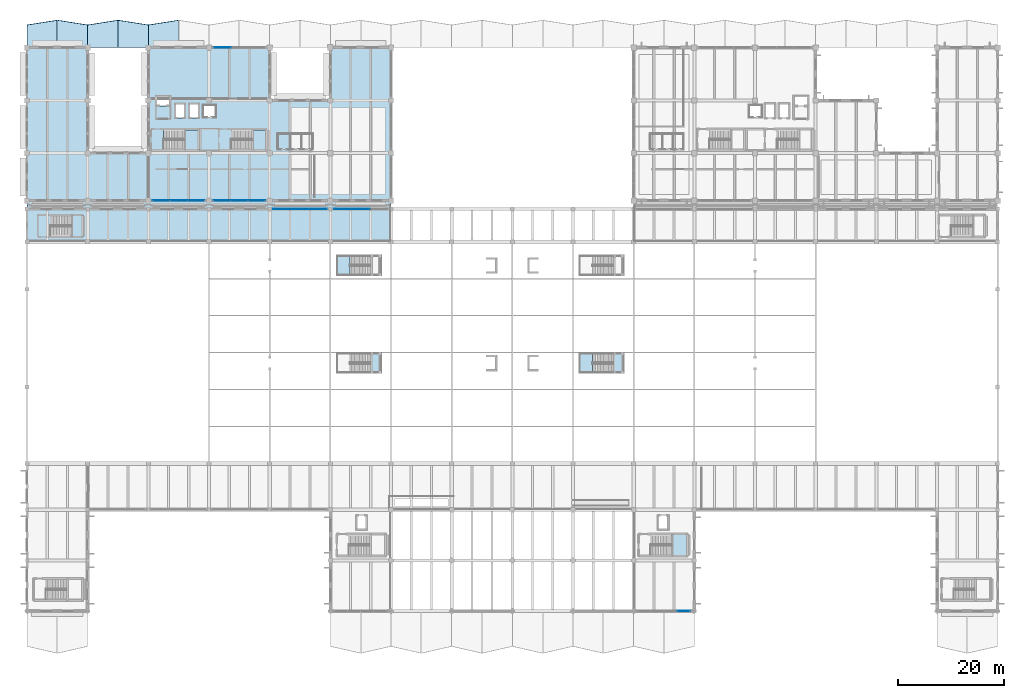
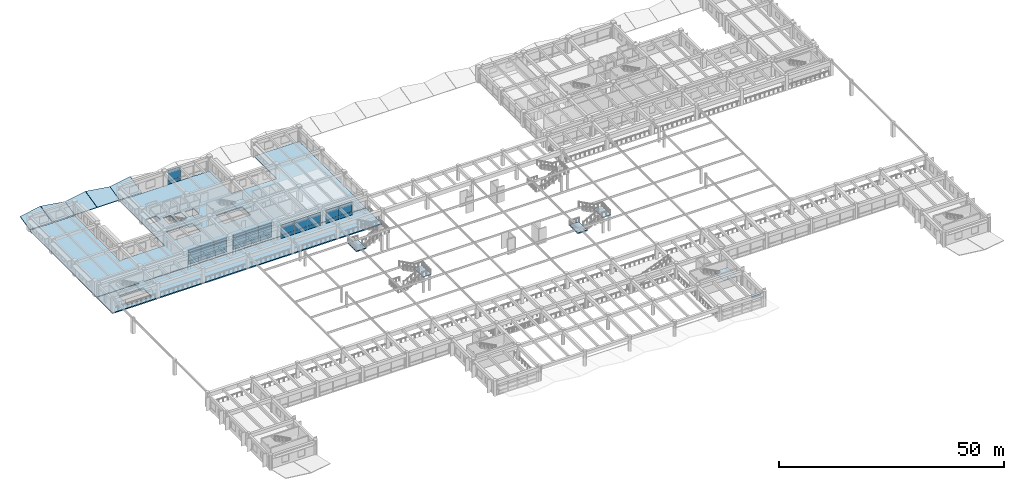
# One storey, part 65 of 98: 37 plates, 15 slabs, 12 elements without a shape of their own.
"""IFC4 building model written with IfcOpenShell, lengths in metres."""

from ifc_helpers import new_model, si_unit, direction, frame, origin, origin_2d, place, context, subcontext, project, spatial, polyline, rectangle, outline, extrude, material, layer, layer_set, type_object, element, aggregate, save


model = new_model("IFC4")

# Units and contexts
model_context = context("Model", 3, precision=1e-05, world=origin(), true_north=direction((0.0, 1.0)))
body_context = subcontext(model_context, "Body", "Model", "MODEL_VIEW")
ifc_project = project(units=[si_unit("LENGTHUNIT", "METRE"), si_unit("AREAUNIT", "SQUARE_METRE"), si_unit("VOLUMEUNIT", "CUBIC_METRE"), si_unit("PLANEANGLEUNIT", "RADIAN"), si_unit("MASSUNIT", "GRAM", prefix="KILO")], contexts=[model_context])

# Site, building, storey
site_placement = place(None, origin())
site = spatial("IfcSite", under=ifc_project, at=site_placement, CompositionType="ELEMENT")
building_placement = place(site_placement, origin())
building = spatial("IfcBuilding", under=site, at=building_placement, Name="Ologun Quay Terminus", CompositionType="ELEMENT")
storey_placement = place(building_placement, frame((0.0, 0.0, 4.199951171875)))
storey = spatial("IfcBuildingStorey", under=building, at=storey_placement, Name="L01", CompositionType="ELEMENT", Elevation=4.199951171875)

# Curtain wall, plate
ifc_material_1 = material(Name="Aluminium 6063-T6", Category="aluminium")
curtain_wall_type_1 = type_object("IfcCurtainWallType", Name="Ticket Hall Upper Portal Curtain Wall 10700x3800", PredefinedType="USERDEFINED", material=ifc_material_1)
curtain_wall_1_placement = place(storey_placement, origin())
curtain_wall_1 = element("IfcCurtainWall", 1, at=curtain_wall_1_placement, inside=storey, type_object=curtain_wall_type_1, Name="CW-02 Curtain Wall CW-L01-015", ObjectType="UNITISED CURTAIN WALL", PredefinedType="USERDEFINED")
ifc_material_2 = material(Name="Glass", Category="glass")
ifc_layer_1 = layer(ifc_material_2, 0.031982421875)
ifc_layer_set_1 = layer_set([ifc_layer_1], Name="Glass")
plate_type_1 = type_object("IfcPlateType", Name="Acoustic Low-E Laminated Glazed Panel 32", PredefinedType="CURTAIN_PANEL", material=ifc_layer_set_1)
plate_1_placement = place(storey_placement, frame((124.447509765625, 8.0, 3.169921875), z_axis=(0.0, 0.0, 1.0), x_axis=(1.0, 0.0, 0.0)))
plate_1 = element("IfcPlate", 2, at=plate_1_placement, type_object=plate_type_1, Name="CW-L01-015 Panel B4-3", PredefinedType="CURTAIN_PANEL", context=body_context, shape_type="SweptSolid", body=[
    extrude(rectangle(XDim=2.465087890625, YDim=0.031982421875, at=origin_2d()), origin(), (0.0, 0.0, 1.0), 0.639892578125),
])
aggregate(curtain_wall_1, [plate_1])

ifc_material_3 = material(Name="Aluminium 6063-T6", Category="aluminium")
curtain_wall_type_2 = type_object("IfcCurtainWallType", Name="Waterfront Pavilion Harbour Curtain Wall L01 10500x3850", PredefinedType="USERDEFINED", material=ifc_material_3)
curtain_wall_2_placement = place(storey_placement, origin())
curtain_wall_2 = element("IfcCurtainWall", 3, at=curtain_wall_2_placement, inside=storey, type_object=curtain_wall_type_2, Name="CW-23 Curtain Wall CW-L01-102", ObjectType="UNITISED CURTAIN WALL", PredefinedType="USERDEFINED")
ifc_material_4 = material(Name="Aluminium 6063-T6", Category="aluminium")
ifc_layer_2 = layer(ifc_material_4, 0.06005859375)
ifc_layer_set_2 = layer_set([ifc_layer_2], Name="Aluminium 6063-T6")
plate_type_2 = type_object("IfcPlateType", Name="Anodised Bronze Spandrel Panel 60", PredefinedType="CURTAIN_PANEL", material=ifc_layer_set_2)
plate_2_placement = place(storey_placement, frame((36.99658203125, 114.800048828125, 0.02978515625), z_axis=(0.0, 0.0, 1.0), x_axis=(1.0, 0.0, 0.0)))
plate_2 = element("IfcPlate", 4, at=plate_2_placement, type_object=plate_type_2, Name="CW-L01-102 Panel B1-1", PredefinedType="CURTAIN_PANEL", context=body_context, shape_type="SweptSolid", body=[
    extrude(rectangle(XDim=3.25341796875, YDim=0.06005859375, at=origin_2d()), origin(), (0.0, 0.0, 1.0), 0.840087890625),
])

# Slabs
ifc_material_5 = material(Name="Concrete C45/55", Category="concrete")
ifc_layer_3 = layer(ifc_material_5, 0.179931640625)
ifc_layer_set_3 = layer_set([ifc_layer_3], Name="Concrete C45/55")
slab_type_1 = type_object("IfcSlabType", Name="Folded Plate Concrete Canopy Slab 180", PredefinedType="ROOF", material=ifc_layer_set_3)
slab_1_placement = place(storey_placement, frame((0.0, 114.800048828125, 0.199951171875), z_axis=(-5.421977e-06, -0.224890596449, 0.974384020599), x_axis=(0.999999999985, -1.219352e-06, 5.283088e-06)))
element("IfcSlab", 5, at=slab_1_placement, inside=storey, type_object=slab_type_1, Name="SL-CNP Harbour Colonnade Canopy Bay 1W", PredefinedType="ROOF", context=body_context, shape_type="SweptSolid", body=[
    extrude(outline(polyline([(0.0, 0.0), (5.719970703040922, 1.2112509107190553e-21), (5.719970703209077, 5.336661969533888), (-1.6815478267274492e-10, 4.413087409581979), (0.0, 0.0)])), origin(), (0.0, 0.0, -1.0), 0.179931640625),
])
slab_2_placement = place(storey_placement, frame((5.780029296875, 114.800048828125, 0.199951171875), z_axis=(5.421977e-06, -0.224890596449, 0.974384020599), x_axis=(0.999999999985, 1.219352e-06, -5.283088e-06)))
element("IfcSlab", 6, at=slab_2_placement, inside=storey, type_object=slab_type_1, Name="SL-CNP Harbour Colonnade Canopy Bay 1E", PredefinedType="ROOF", context=body_context, shape_type="SweptSolid", body=[
    extrude(outline(polyline([(0.0, 0.0), (5.719970703040922, -1.2112509107190553e-21), (5.719970703209078, 4.413087409581979), (-1.6815478267274492e-10, 5.336661969533888), (0.0, 0.0)])), origin(), (0.0, 0.0, -1.0), 0.179931640625),
])
slab_3_placement = place(storey_placement, frame((11.5, 114.800048828125, 0.199951171875), z_axis=(-5.421977e-06, -0.224890596449, 0.974384020599), x_axis=(0.999999999985, -1.219352e-06, 5.283088e-06)))
element("IfcSlab", 7, at=slab_3_placement, inside=storey, type_object=slab_type_1, Name="SL-CNP Harbour Colonnade Canopy Bay 2W", PredefinedType="ROOF", context=body_context, shape_type="SweptSolid", body=[
    extrude(outline(polyline([(0.0, 0.0), (5.719970703040922, 1.2112509107190553e-21), (5.719970703209077, 5.336661969533888), (-1.6815478267274492e-10, 4.413087409581979), (0.0, 0.0)])), origin(), (0.0, 0.0, -1.0), 0.179931640625),
])
slab_4_placement = place(storey_placement, frame((17.280029296875, 114.800048828125, 0.199951171875), z_axis=(5.421977e-06, -0.224890596449, 0.974384020599), x_axis=(0.999999999985, 1.219352e-06, -5.283088e-06)))
element("IfcSlab", 8, at=slab_4_placement, inside=storey, type_object=slab_type_1, Name="SL-CNP Harbour Colonnade Canopy Bay 2E", PredefinedType="ROOF", context=body_context, shape_type="SweptSolid", body=[
    extrude(outline(polyline([(0.0, 0.0), (5.719970703040922, -1.2112509107190553e-21), (5.719970703209078, 4.413087409581979), (-1.6815478267274492e-10, 5.336661969533888), (0.0, 0.0)])), origin(), (0.0, 0.0, -1.0), 0.179931640625),
])
slab_5_placement = place(storey_placement, frame((23.0, 114.800048828125, 0.199951171875), z_axis=(-5.421977e-06, -0.224890596449, 0.974384020599), x_axis=(0.999999999985, -1.219352e-06, 5.283088e-06)))
element("IfcSlab", 9, at=slab_5_placement, inside=storey, type_object=slab_type_1, Name="SL-CNP Harbour Colonnade Canopy Bay 3W", PredefinedType="ROOF", context=body_context, shape_type="SweptSolid", body=[
    extrude(outline(polyline([(0.0, 0.0), (5.719970703040922, 1.2112509107190553e-21), (5.719970703209077, 5.336661969533888), (-1.6815478267274492e-10, 4.413087409581979), (0.0, 0.0)])), origin(), (0.0, 0.0, -1.0), 0.179931640625),
])

# Plate
ifc_material_6 = material(Name="Glass", Category="glass")
ifc_layer_4 = layer(ifc_material_6, 0.035888671875)
ifc_layer_set_4 = layer_set([ifc_layer_4], Name="Glass")
plate_type_3 = type_object("IfcPlateType", Name="High-Selectivity Harbour Glazed Panel 36", PredefinedType="CURTAIN_PANEL", material=ifc_layer_set_4)
plate_3_placement = place(storey_placement, frame((36.99658203125, 114.800048828125, 0.929931640625), z_axis=(0.0, 0.0, 1.0), x_axis=(1.0, 0.0, 0.0)))
plate_3 = element("IfcPlate", 10, at=plate_3_placement, type_object=plate_type_3, Name="CW-L01-102 Panel B1-2", PredefinedType="CURTAIN_PANEL", context=body_context, shape_type="SweptSolid", body=[
    extrude(rectangle(XDim=3.25341796875, YDim=0.035888671875, at=origin_2d()), origin(), (0.0, 0.0, 1.0), 2.27001953125),
])

plate_4_placement = place(storey_placement, frame((36.99658203125, 114.800048828125, 3.26025390625), z_axis=(0.0, 0.0, 1.0), x_axis=(1.0, 0.0, 0.0)))
plate_4 = element("IfcPlate", 11, at=plate_4_placement, type_object=plate_type_3, Name="CW-L01-102 Panel B1-3", PredefinedType="CURTAIN_PANEL", context=body_context, shape_type="SweptSolid", body=[
    extrude(rectangle(XDim=3.25341796875, YDim=0.035888671875, at=origin_2d()), origin(), (0.0, 0.0, 1.0), 0.639892578125),
])

aggregate(curtain_wall_2, [plate_2, plate_3, plate_4])

# Curtain wall, plates
ifc_material_7 = material(Name="Aluminium 6063-T6", Category="aluminium")
curtain_wall_type_3 = type_object("IfcCurtainWallType", Name="Forecourt Mezzanine Curtain Wall 10700x3850", PredefinedType="USERDEFINED", material=ifc_material_7)
curtain_wall_3_placement = place(storey_placement, origin())
curtain_wall_3 = element("IfcCurtainWall", 12, at=curtain_wall_3_placement, inside=storey, type_object=curtain_wall_type_3, Name="CW-04 Curtain Wall CW-L01-088", ObjectType="UNITISED CURTAIN WALL", PredefinedType="USERDEFINED")
ifc_material_8 = material(Name="Aluminium 6063-T6", Category="aluminium")
ifc_layer_5 = layer(ifc_material_8, 0.050048828125)
ifc_layer_set_5 = layer_set([ifc_layer_5], Name="Aluminium 6063-T6")
plate_type_4 = type_object("IfcPlateType", Name="Insulated Aluminium Shadow-Box Spandrel 50", PredefinedType="CURTAIN_PANEL", material=ifc_layer_set_5)
plate_5_placement = place(storey_placement, frame((48.396728515625, 84.199951171875, 0.02978515625), z_axis=(0.0, 0.0, 1.0), x_axis=(1.0, 0.0, 0.0)))
plate_5 = element("IfcPlate", 13, at=plate_5_placement, type_object=plate_type_4, Name="CW-L01-088 Panel B1-1", PredefinedType="CURTAIN_PANEL", context=body_context, shape_type="SweptSolid", body=[
    extrude(rectangle(XDim=3.353271484375, YDim=0.050048828125, at=origin_2d()), origin(), (0.0, 0.0, 1.0), 0.840087890625),
])
plate_6_placement = place(storey_placement, frame((51.75, 84.199951171875, 0.02978515625), z_axis=(0.0, 0.0, 1.0), x_axis=(1.0, 0.0, 0.0)))
plate_6 = element("IfcPlate", 14, at=plate_6_placement, type_object=plate_type_4, Name="CW-L01-088 Panel B2-1", PredefinedType="CURTAIN_PANEL", context=body_context, shape_type="SweptSolid", body=[
    extrude(rectangle(XDim=3.353271484375, YDim=0.050048828125, at=origin_2d()), origin(), (0.0, 0.0, 1.0), 0.840087890625),
])
plate_7_placement = place(storey_placement, frame((55.103271484375, 84.199951171875, 0.02978515625), z_axis=(0.0, 0.0, 1.0), x_axis=(1.0, 0.0, 0.0)))
plate_7 = element("IfcPlate", 15, at=plate_7_placement, type_object=plate_type_4, Name="CW-L01-088 Panel B3-1", PredefinedType="CURTAIN_PANEL", context=body_context, shape_type="SweptSolid", body=[
    extrude(rectangle(XDim=3.353271484375, YDim=0.050048828125, at=origin_2d()), origin(), (0.0, 0.0, 1.0), 0.840087890625),
])

curtain_wall_4_placement = place(storey_placement, origin())
curtain_wall_4 = element("IfcCurtainWall", 16, at=curtain_wall_4_placement, inside=storey, type_object=curtain_wall_type_3, Name="CW-04 Curtain Wall CW-L01-089", ObjectType="UNITISED CURTAIN WALL", PredefinedType="USERDEFINED")
plate_8_placement = place(storey_placement, frame((59.896728515625, 84.199951171875, 0.02978515625), z_axis=(0.0, 0.0, 1.0), x_axis=(1.0, 0.0, 0.0)))
plate_8 = element("IfcPlate", 17, at=plate_8_placement, type_object=plate_type_4, Name="CW-L01-089 Panel B1-1", PredefinedType="CURTAIN_PANEL", context=body_context, shape_type="SweptSolid", body=[
    extrude(rectangle(XDim=3.353271484375, YDim=0.050048828125, at=origin_2d()), origin(), (0.0, 0.0, 1.0), 0.840087890625),
])
plate_9_placement = place(storey_placement, frame((63.25, 84.199951171875, 0.02978515625), z_axis=(0.0, 0.0, 1.0), x_axis=(1.0, 0.0, 0.0)))
plate_9 = element("IfcPlate", 18, at=plate_9_placement, type_object=plate_type_4, Name="CW-L01-089 Panel B2-1", PredefinedType="CURTAIN_PANEL", context=body_context, shape_type="SweptSolid", body=[
    extrude(rectangle(XDim=3.353271484375, YDim=0.050048828125, at=origin_2d()), origin(), (0.0, 0.0, 1.0), 0.840087890625),
])

curtain_wall_5_placement = place(storey_placement, origin())
curtain_wall_5 = element("IfcCurtainWall", 19, at=curtain_wall_5_placement, inside=storey, type_object=curtain_wall_type_2, Name="CW-23 Curtain Wall CW-L01-097", ObjectType="UNITISED CURTAIN WALL", PredefinedType="USERDEFINED")
plate_10_placement = place(storey_placement, frame((25.49658203125, 85.800048828125, 0.02978515625), z_axis=(0.0, 0.0, 1.0), x_axis=(1.0, 0.0, 0.0)))
plate_10 = element("IfcPlate", 20, at=plate_10_placement, type_object=plate_type_4, Name="CW-L01-097 Panel B1-1", PredefinedType="CURTAIN_PANEL", context=body_context, shape_type="SweptSolid", body=[
    extrude(rectangle(XDim=3.25341796875, YDim=0.050048828125, at=origin_2d()), origin(), (0.0, 0.0, 1.0), 0.840087890625),
])
plate_11_placement = place(storey_placement, frame((28.75, 85.800048828125, 0.02978515625), z_axis=(0.0, 0.0, 1.0), x_axis=(1.0, 0.0, 0.0)))
plate_11 = element("IfcPlate", 21, at=plate_11_placement, type_object=plate_type_4, Name="CW-L01-097 Panel B2-1", PredefinedType="CURTAIN_PANEL", context=body_context, shape_type="SweptSolid", body=[
    extrude(rectangle(XDim=3.25341796875, YDim=0.050048828125, at=origin_2d()), origin(), (0.0, 0.0, 1.0), 0.840087890625),
])
plate_12_placement = place(storey_placement, frame((32.00341796875, 85.800048828125, 0.02978515625), z_axis=(0.0, 0.0, 1.0), x_axis=(1.0, 0.0, 0.0)))
plate_12 = element("IfcPlate", 22, at=plate_12_placement, type_object=plate_type_4, Name="CW-L01-097 Panel B3-1", PredefinedType="CURTAIN_PANEL", context=body_context, shape_type="SweptSolid", body=[
    extrude(rectangle(XDim=3.25341796875, YDim=0.050048828125, at=origin_2d()), origin(), (0.0, 0.0, 1.0), 0.840087890625),
])

curtain_wall_6_placement = place(storey_placement, origin())
curtain_wall_6 = element("IfcCurtainWall", 23, at=curtain_wall_6_placement, inside=storey, type_object=curtain_wall_type_2, Name="CW-23 Curtain Wall CW-L01-098", ObjectType="UNITISED CURTAIN WALL", PredefinedType="USERDEFINED")
plate_13_placement = place(storey_placement, frame((36.99658203125, 85.800048828125, 0.02978515625), z_axis=(0.0, 0.0, 1.0), x_axis=(1.0, 0.0, 0.0)))
plate_13 = element("IfcPlate", 24, at=plate_13_placement, type_object=plate_type_4, Name="CW-L01-098 Panel B1-1", PredefinedType="CURTAIN_PANEL", context=body_context, shape_type="SweptSolid", body=[
    extrude(rectangle(XDim=3.25341796875, YDim=0.050048828125, at=origin_2d()), origin(), (0.0, 0.0, 1.0), 0.840087890625),
])
plate_14_placement = place(storey_placement, frame((40.25, 85.800048828125, 0.02978515625), z_axis=(0.0, 0.0, 1.0), x_axis=(1.0, 0.0, 0.0)))
plate_14 = element("IfcPlate", 25, at=plate_14_placement, type_object=plate_type_4, Name="CW-L01-098 Panel B2-1", PredefinedType="CURTAIN_PANEL", context=body_context, shape_type="SweptSolid", body=[
    extrude(rectangle(XDim=3.25341796875, YDim=0.050048828125, at=origin_2d()), origin(), (0.0, 0.0, 1.0), 0.840087890625),
])
plate_15_placement = place(storey_placement, frame((43.50341796875, 85.800048828125, 0.02978515625), z_axis=(0.0, 0.0, 1.0), x_axis=(1.0, 0.0, 0.0)))
plate_15 = element("IfcPlate", 26, at=plate_15_placement, type_object=plate_type_4, Name="CW-L01-098 Panel B3-1", PredefinedType="CURTAIN_PANEL", context=body_context, shape_type="SweptSolid", body=[
    extrude(rectangle(XDim=3.25341796875, YDim=0.050048828125, at=origin_2d()), origin(), (0.0, 0.0, 1.0), 0.840087890625),
])

# Slabs
ifc_material_9 = material(Name="Concrete C40/50", Category="concrete")
ifc_layer_6 = layer(ifc_material_9, 0.25)
ifc_layer_set_6 = layer_set([ifc_layer_6], Name="Concrete C40/50")
slab_type_2 = type_object("IfcSlabType", Name="North Wing Floor Slab 250", PredefinedType="FLOOR", material=ifc_layer_set_6)
slab_6_placement = place(storey_placement, frame((0.0, 0.0, -0.25)))
element("IfcSlab", 27, at=slab_6_placement, inside=storey, type_object=slab_type_2, Name="SL-TWR North Wing Floor Slab L01 WWNG", PredefinedType="FLOOR", context=body_context, shape_type="SweptSolid", body=[
    extrude(outline(polyline([(0.0, 85.03759765625), (69.0, 85.03759765625), (69.0, 114.800048828125), (57.5, 114.800048828125), (57.5, 104.800048828125), (46.0, 104.800048828125), (46.0, 114.800048828125), (23.0, 114.800048828125), (23.0, 94.800048828125), (11.5, 94.800048828125), (11.5, 114.800048828125), (0.0, 114.800048828125), (0.0, 85.03759765625)]), holes=[polyline([(24.449951171875, 103.780029296875), (24.449951171875, 105.6201171875), (27.14990234375, 105.6201171875), (27.14990234375, 103.780029296875), (24.449951171875, 103.780029296875)]), polyline([(28.050048828125, 101.5), (28.050048828125, 104.199951171875), (29.949951171875, 104.199951171875), (29.949951171875, 101.5), (28.050048828125, 101.5)]), polyline([(30.699951171875, 101.5), (30.699951171875, 104.199951171875), (32.60009765625, 104.199951171875), (32.60009765625, 101.5), (30.699951171875, 101.5)]), polyline([(25.8798828125, 95.550048828125), (25.8798828125, 99.14990234375), (32.64990234375, 99.14990234375), (32.64990234375, 95.550048828125), (25.8798828125, 95.550048828125)]), polyline([(38.72998046875, 95.550048828125), (38.72998046875, 99.14990234375), (45.449951171875, 99.14990234375), (45.449951171875, 95.550048828125), (38.72998046875, 95.550048828125)]), polyline([(33.39990234375, 101.60009765625), (33.39990234375, 103.89990234375), (35.800048828125, 103.89990234375), (35.800048828125, 101.60009765625), (33.39990234375, 101.60009765625)])]), origin(), (0.0, 0.0, 1.0), 0.25),
])
ifc_material_10 = material(Name="Concrete C40/50", Category="concrete")
ifc_layer_7 = layer(ifc_material_10, 0.300048828125)
ifc_layer_set_7 = layer_set([ifc_layer_7], Name="Concrete C40/50")
slab_type_3 = type_object("IfcSlabType", Name="Passenger Platform Deck Slab 300", PredefinedType="FLOOR", material=ifc_layer_set_7)
slab_7_placement = place(storey_placement, frame((0.0, 0.0, -0.300048828125)))
element("IfcSlab", 28, at=slab_7_placement, inside=storey, type_object=slab_type_3, Name="SL-PLT Platform Transfer Bridge ST-P2", PredefinedType="FLOOR", context=body_context, shape_type="SweptSolid", body=[
    extrude(outline(polyline([(104.75, 53.14990234375), (107.219970703125, 53.14990234375), (107.219970703125, 56.85009765625), (104.75, 56.85009765625), (104.75, 53.14990234375)])), origin(), (0.0, 0.0, 1.0), 0.300048828125),
])
slab_8_placement = place(storey_placement, frame((0.0, 0.0, -0.300048828125)))
element("IfcSlab", 29, at=slab_8_placement, inside=storey, type_object=slab_type_3, Name="SL-PLT Platform Transfer Bridge ST-P3", PredefinedType="FLOOR", context=body_context, shape_type="SweptSolid", body=[
    extrude(outline(polyline([(58.75, 71.64990234375), (61.219970703125, 71.64990234375), (61.219970703125, 75.35009765625), (58.75, 75.35009765625), (58.75, 71.64990234375)])), origin(), (0.0, 0.0, 1.0), 0.300048828125),
])
slab_9_placement = place(storey_placement, frame((0.0, 0.0, -0.300048828125)))
element("IfcSlab", 30, at=slab_9_placement, inside=storey, type_object=slab_type_3, Name="SL-PLT North Mezzanine Gallery Slab W", PredefinedType="FLOOR", context=body_context, shape_type="SweptSolid", body=[
    extrude(outline(polyline([(0.0, 78.0), (69.0, 78.0), (69.0, 84.96240234375), (0.0, 84.96240234375), (0.0, 78.0)]), holes=[polyline([(4.429931640625, 79.10009765625), (4.429931640625, 82.89990234375), (10.64990234375, 82.89990234375), (10.64990234375, 79.10009765625), (4.429931640625, 79.10009765625)])]), origin(), (0.0, 0.0, 1.0), 0.300048828125),
])

# Stair, slab
ifc_material_11 = material(Name="Concrete C40/50", Category="concrete")
stair_type_1 = type_object("IfcStairType", Name="Courtyard Wing Core Escape Stair 1700", PredefinedType="HALF_TURN_STAIR", material=ifc_material_11)
stair_1_placement = place(storey_placement, origin())
stair_1 = element("IfcStair", 31, at=stair_1_placement, inside=storey, type_object=stair_type_1, Name="ST-W1 Stair L01", PredefinedType="HALF_TURN_STAIR")
ifc_material_12 = material(Name="Precast Concrete C40/50", Category="concrete")
ifc_layer_8 = layer(ifc_material_12, 0.179931640625)
ifc_layer_set_8 = layer_set([ifc_layer_8], Name="Precast Concrete C40/50")
slab_type_4 = type_object("IfcSlabType", Name="Precast Stair Half-Landing Slab 180", PredefinedType="LANDING", material=ifc_layer_set_8)
slab_10_placement = place(storey_placement, frame((0.0, 0.0, 1.920166015625)))
slab_10 = element("IfcSlab", 32, at=slab_10_placement, type_object=slab_type_4, Name="ST-W1 Half-Landing L01", PredefinedType="LANDING", context=body_context, shape_type="SweptSolid", body=[
    extrude(outline(polyline([(29.719970703125, 95.469970703125), (32.72998046875, 95.469970703125), (32.72998046875, 99.22998046875), (29.719970703125, 99.22998046875), (29.719970703125, 95.469970703125)])), origin(), (0.0, 0.0, 1.0), 0.179931640625),
])
aggregate(stair_1, [slab_10])

stair_2_placement = place(storey_placement, origin())
stair_2 = element("IfcStair", 33, at=stair_2_placement, inside=storey, type_object=stair_type_1, Name="ST-W2 Stair L01", PredefinedType="HALF_TURN_STAIR")
slab_11_placement = place(storey_placement, frame((0.0, 0.0, 1.920166015625)))
slab_11 = element("IfcSlab", 34, at=slab_11_placement, type_object=slab_type_4, Name="ST-W2 Half-Landing L01", PredefinedType="LANDING", context=body_context, shape_type="SweptSolid", body=[
    extrude(outline(polyline([(42.570068359375, 95.469970703125), (45.530029296875, 95.469970703125), (45.530029296875, 99.22998046875), (42.570068359375, 99.22998046875), (42.570068359375, 95.469970703125)])), origin(), (0.0, 0.0, 1.0), 0.179931640625),
])
aggregate(stair_2, [slab_11])

ifc_material_13 = material(Name="Concrete C40/50", Category="concrete")
stair_type_2 = type_object("IfcStairType", Name="Station Concourse Escape Stair 1800", PredefinedType="HALF_TURN_STAIR", material=ifc_material_13)
stair_3_placement = place(storey_placement, origin())
stair_3 = element("IfcStair", 35, at=stair_3_placement, inside=storey, type_object=stair_type_2, Name="ST-S4 Stair L01", PredefinedType="HALF_TURN_STAIR")
slab_12_placement = place(storey_placement, frame((0.0, 0.0, 1.920166015625)))
slab_12 = element("IfcSlab", 36, at=slab_12_placement, type_object=slab_type_4, Name="ST-S4 Half-Landing L01", PredefinedType="LANDING", context=body_context, shape_type="SweptSolid", body=[
    extrude(outline(polyline([(122.1201171875, 18.52001953125), (125.3798828125, 18.52001953125), (125.3798828125, 22.47998046875), (122.1201171875, 22.47998046875), (122.1201171875, 18.52001953125)])), origin(), (0.0, 0.0, 1.0), 0.179931640625),
])
aggregate(stair_3, [slab_12])

stair_4_placement = place(storey_placement, origin())
stair_4 = element("IfcStair", 37, at=stair_4_placement, inside=storey, type_object=stair_type_2, Name="ST-NG1 Stair L01", PredefinedType="HALF_TURN_STAIR")
slab_13_placement = place(storey_placement, frame((0.0, 0.0, 1.920166015625)))
slab_13 = element("IfcSlab", 38, at=slab_13_placement, type_object=slab_type_4, Name="ST-NG1 Half-Landing L01", PredefinedType="LANDING", context=body_context, shape_type="SweptSolid", body=[
    extrude(outline(polyline([(8.27001953125, 79.02001953125), (10.72998046875, 79.02001953125), (10.72998046875, 82.97998046875), (8.27001953125, 82.97998046875), (8.27001953125, 79.02001953125)])), origin(), (0.0, 0.0, 1.0), 0.179931640625),
])
aggregate(stair_4, [slab_13])

ifc_material_14 = material(Name="Concrete C40/50", Category="concrete")
stair_type_3 = type_object("IfcStairType", Name="Platform Concourse Transfer Stair 1700", PredefinedType="HALF_TURN_STAIR", material=ifc_material_14)
stair_5_placement = place(storey_placement, origin())
stair_5 = element("IfcStair", 39, at=stair_5_placement, inside=storey, type_object=stair_type_3, Name="ST-P1U Stair L01", PredefinedType="HALF_TURN_STAIR")
slab_14_placement = place(storey_placement, frame((0.0, 0.0, 1.920166015625)))
slab_14 = element("IfcSlab", 40, at=slab_14_placement, type_object=slab_type_4, Name="ST-P1U Half-Landing L01", PredefinedType="LANDING", context=body_context, shape_type="SweptSolid", body=[
    extrude(outline(polyline([(65.070068359375, 53.0), (67.14990234375, 53.0), (67.14990234375, 57.0), (65.070068359375, 57.0), (65.070068359375, 53.0)])), origin(), (0.0, 0.0, 1.0), 0.179931640625),
])
aggregate(stair_5, [slab_14])

stair_6_placement = place(storey_placement, origin())
stair_6 = element("IfcStair", 41, at=stair_6_placement, inside=storey, type_object=stair_type_3, Name="ST-P2U Stair L01", PredefinedType="HALF_TURN_STAIR")
slab_15_placement = place(storey_placement, frame((0.0, 0.0, 1.920166015625)))
slab_15 = element("IfcSlab", 42, at=slab_15_placement, type_object=slab_type_4, Name="ST-P2U Half-Landing L01", PredefinedType="LANDING", context=body_context, shape_type="SweptSolid", body=[
    extrude(outline(polyline([(111.070068359375, 53.0), (113.14990234375, 53.0), (113.14990234375, 57.0), (111.070068359375, 57.0), (111.070068359375, 53.0)])), origin(), (0.0, 0.0, 1.0), 0.179931640625),
])
aggregate(stair_6, [slab_15])

# Plate
ifc_material_15 = material(Name="Glass", Category="glass")
ifc_layer_9 = layer(ifc_material_15, 0.028076171875)
ifc_layer_set_9 = layer_set([ifc_layer_9], Name="Glass")
plate_type_5 = type_object("IfcPlateType", Name="Solar-Control Double Glazed Panel 28", PredefinedType="CURTAIN_PANEL", material=ifc_layer_set_9)
plate_16_placement = place(storey_placement, frame((48.396728515625, 84.199951171875, 0.93017578125), z_axis=(0.0, 0.0, 1.0), x_axis=(1.0, 0.0, 0.0)))
plate_16 = element("IfcPlate", 43, at=plate_16_placement, type_object=plate_type_5, Name="CW-L01-088 Panel B1-2", PredefinedType="CURTAIN_PANEL", context=body_context, shape_type="SweptSolid", body=[
    extrude(rectangle(XDim=3.353271484375, YDim=0.028076171875, at=origin_2d()), origin(), (0.0, 0.0, 1.0), 1.989990234375),
])

plate_17_placement = place(storey_placement, frame((48.396728515625, 84.199951171875, 2.97998046875), z_axis=(0.0, 0.0, 1.0), x_axis=(1.0, 0.0, 0.0)))
plate_17 = element("IfcPlate", 44, at=plate_17_placement, type_object=plate_type_5, Name="CW-L01-088 Panel B1-3", PredefinedType="CURTAIN_PANEL", context=body_context, shape_type="SweptSolid", body=[
    extrude(rectangle(XDim=3.353271484375, YDim=0.028076171875, at=origin_2d()), origin(), (0.0, 0.0, 1.0), 0.639892578125),
])

plate_18_placement = place(storey_placement, frame((51.75, 84.199951171875, 0.93017578125), z_axis=(0.0, 0.0, 1.0), x_axis=(1.0, 0.0, 0.0)))
plate_18 = element("IfcPlate", 45, at=plate_18_placement, type_object=plate_type_5, Name="CW-L01-088 Panel B2-2", PredefinedType="CURTAIN_PANEL", context=body_context, shape_type="SweptSolid", body=[
    extrude(rectangle(XDim=3.353271484375, YDim=0.028076171875, at=origin_2d()), origin(), (0.0, 0.0, 1.0), 1.989990234375),
])

plate_19_placement = place(storey_placement, frame((51.75, 84.199951171875, 2.97998046875), z_axis=(0.0, 0.0, 1.0), x_axis=(1.0, 0.0, 0.0)))
plate_19 = element("IfcPlate", 46, at=plate_19_placement, type_object=plate_type_5, Name="CW-L01-088 Panel B2-3", PredefinedType="CURTAIN_PANEL", context=body_context, shape_type="SweptSolid", body=[
    extrude(rectangle(XDim=3.353271484375, YDim=0.028076171875, at=origin_2d()), origin(), (0.0, 0.0, 1.0), 0.639892578125),
])

plate_20_placement = place(storey_placement, frame((55.103271484375, 84.199951171875, 0.93017578125), z_axis=(0.0, 0.0, 1.0), x_axis=(1.0, 0.0, 0.0)))
plate_20 = element("IfcPlate", 47, at=plate_20_placement, type_object=plate_type_5, Name="CW-L01-088 Panel B3-2", PredefinedType="CURTAIN_PANEL", context=body_context, shape_type="SweptSolid", body=[
    extrude(rectangle(XDim=3.353271484375, YDim=0.028076171875, at=origin_2d()), origin(), (0.0, 0.0, 1.0), 1.989990234375),
])

plate_21_placement = place(storey_placement, frame((55.103271484375, 84.199951171875, 2.97998046875), z_axis=(0.0, 0.0, 1.0), x_axis=(1.0, 0.0, 0.0)))
plate_21 = element("IfcPlate", 48, at=plate_21_placement, type_object=plate_type_5, Name="CW-L01-088 Panel B3-3", PredefinedType="CURTAIN_PANEL", context=body_context, shape_type="SweptSolid", body=[
    extrude(rectangle(XDim=3.353271484375, YDim=0.028076171875, at=origin_2d()), origin(), (0.0, 0.0, 1.0), 0.639892578125),
])

aggregate(curtain_wall_3, [plate_5, plate_16, plate_17, plate_6, plate_18, plate_19, plate_7, plate_20, plate_21])

plate_22_placement = place(storey_placement, frame((59.896728515625, 84.199951171875, 0.93017578125), z_axis=(0.0, 0.0, 1.0), x_axis=(1.0, 0.0, 0.0)))
plate_22 = element("IfcPlate", 49, at=plate_22_placement, type_object=plate_type_5, Name="CW-L01-089 Panel B1-2", PredefinedType="CURTAIN_PANEL", context=body_context, shape_type="SweptSolid", body=[
    extrude(rectangle(XDim=3.353271484375, YDim=0.028076171875, at=origin_2d()), origin(), (0.0, 0.0, 1.0), 1.989990234375),
])

plate_23_placement = place(storey_placement, frame((59.896728515625, 84.199951171875, 2.97998046875), z_axis=(0.0, 0.0, 1.0), x_axis=(1.0, 0.0, 0.0)))
plate_23 = element("IfcPlate", 50, at=plate_23_placement, type_object=plate_type_5, Name="CW-L01-089 Panel B1-3", PredefinedType="CURTAIN_PANEL", context=body_context, shape_type="SweptSolid", body=[
    extrude(rectangle(XDim=3.353271484375, YDim=0.028076171875, at=origin_2d()), origin(), (0.0, 0.0, 1.0), 0.639892578125),
])

plate_24_placement = place(storey_placement, frame((63.25, 84.199951171875, 0.93017578125), z_axis=(0.0, 0.0, 1.0), x_axis=(1.0, 0.0, 0.0)))
plate_24 = element("IfcPlate", 51, at=plate_24_placement, type_object=plate_type_5, Name="CW-L01-089 Panel B2-2", PredefinedType="CURTAIN_PANEL", context=body_context, shape_type="SweptSolid", body=[
    extrude(rectangle(XDim=3.353271484375, YDim=0.028076171875, at=origin_2d()), origin(), (0.0, 0.0, 1.0), 1.989990234375),
])

plate_25_placement = place(storey_placement, frame((63.25, 84.199951171875, 2.97998046875), z_axis=(0.0, 0.0, 1.0), x_axis=(1.0, 0.0, 0.0)))
plate_25 = element("IfcPlate", 52, at=plate_25_placement, type_object=plate_type_5, Name="CW-L01-089 Panel B2-3", PredefinedType="CURTAIN_PANEL", context=body_context, shape_type="SweptSolid", body=[
    extrude(rectangle(XDim=3.353271484375, YDim=0.028076171875, at=origin_2d()), origin(), (0.0, 0.0, 1.0), 0.639892578125),
])

aggregate(curtain_wall_4, [plate_8, plate_22, plate_23, plate_9, plate_24, plate_25])

plate_26_placement = place(storey_placement, frame((25.49658203125, 85.800048828125, 0.929931640625), z_axis=(0.0, 0.0, 1.0), x_axis=(1.0, 0.0, 0.0)))
plate_26 = element("IfcPlate", 53, at=plate_26_placement, type_object=plate_type_5, Name="CW-L01-097 Panel B1-2", PredefinedType="CURTAIN_PANEL", context=body_context, shape_type="SweptSolid", body=[
    extrude(rectangle(XDim=3.25341796875, YDim=0.028076171875, at=origin_2d()), origin(), (0.0, 0.0, 1.0), 2.27001953125),
])

plate_27_placement = place(storey_placement, frame((25.49658203125, 85.800048828125, 3.26025390625), z_axis=(0.0, 0.0, 1.0), x_axis=(1.0, 0.0, 0.0)))
plate_27 = element("IfcPlate", 54, at=plate_27_placement, type_object=plate_type_5, Name="CW-L01-097 Panel B1-3", PredefinedType="CURTAIN_PANEL", context=body_context, shape_type="SweptSolid", body=[
    extrude(rectangle(XDim=3.25341796875, YDim=0.028076171875, at=origin_2d()), origin(), (0.0, 0.0, 1.0), 0.639892578125),
])

plate_28_placement = place(storey_placement, frame((28.75, 85.800048828125, 0.929931640625), z_axis=(0.0, 0.0, 1.0), x_axis=(1.0, 0.0, 0.0)))
plate_28 = element("IfcPlate", 55, at=plate_28_placement, type_object=plate_type_5, Name="CW-L01-097 Panel B2-2", PredefinedType="CURTAIN_PANEL", context=body_context, shape_type="SweptSolid", body=[
    extrude(rectangle(XDim=3.25341796875, YDim=0.028076171875, at=origin_2d()), origin(), (0.0, 0.0, 1.0), 2.27001953125),
])

plate_29_placement = place(storey_placement, frame((28.75, 85.800048828125, 3.26025390625), z_axis=(0.0, 0.0, 1.0), x_axis=(1.0, 0.0, 0.0)))
plate_29 = element("IfcPlate", 56, at=plate_29_placement, type_object=plate_type_5, Name="CW-L01-097 Panel B2-3", PredefinedType="CURTAIN_PANEL", context=body_context, shape_type="SweptSolid", body=[
    extrude(rectangle(XDim=3.25341796875, YDim=0.028076171875, at=origin_2d()), origin(), (0.0, 0.0, 1.0), 0.639892578125),
])

plate_30_placement = place(storey_placement, frame((32.00341796875, 85.800048828125, 0.929931640625), z_axis=(0.0, 0.0, 1.0), x_axis=(1.0, 0.0, 0.0)))
plate_30 = element("IfcPlate", 57, at=plate_30_placement, type_object=plate_type_5, Name="CW-L01-097 Panel B3-2", PredefinedType="CURTAIN_PANEL", context=body_context, shape_type="SweptSolid", body=[
    extrude(rectangle(XDim=3.25341796875, YDim=0.028076171875, at=origin_2d()), origin(), (0.0, 0.0, 1.0), 2.27001953125),
])

plate_31_placement = place(storey_placement, frame((32.00341796875, 85.800048828125, 3.26025390625), z_axis=(0.0, 0.0, 1.0), x_axis=(1.0, 0.0, 0.0)))
plate_31 = element("IfcPlate", 58, at=plate_31_placement, type_object=plate_type_5, Name="CW-L01-097 Panel B3-3", PredefinedType="CURTAIN_PANEL", context=body_context, shape_type="SweptSolid", body=[
    extrude(rectangle(XDim=3.25341796875, YDim=0.028076171875, at=origin_2d()), origin(), (0.0, 0.0, 1.0), 0.639892578125),
])

aggregate(curtain_wall_5, [plate_10, plate_26, plate_27, plate_11, plate_28, plate_29, plate_12, plate_30, plate_31])

plate_32_placement = place(storey_placement, frame((36.99658203125, 85.800048828125, 0.929931640625), z_axis=(0.0, 0.0, 1.0), x_axis=(1.0, 0.0, 0.0)))
plate_32 = element("IfcPlate", 59, at=plate_32_placement, type_object=plate_type_5, Name="CW-L01-098 Panel B1-2", PredefinedType="CURTAIN_PANEL", context=body_context, shape_type="SweptSolid", body=[
    extrude(rectangle(XDim=3.25341796875, YDim=0.028076171875, at=origin_2d()), origin(), (0.0, 0.0, 1.0), 2.27001953125),
])

plate_33_placement = place(storey_placement, frame((36.99658203125, 85.800048828125, 3.26025390625), z_axis=(0.0, 0.0, 1.0), x_axis=(1.0, 0.0, 0.0)))
plate_33 = element("IfcPlate", 60, at=plate_33_placement, type_object=plate_type_5, Name="CW-L01-098 Panel B1-3", PredefinedType="CURTAIN_PANEL", context=body_context, shape_type="SweptSolid", body=[
    extrude(rectangle(XDim=3.25341796875, YDim=0.028076171875, at=origin_2d()), origin(), (0.0, 0.0, 1.0), 0.639892578125),
])

plate_34_placement = place(storey_placement, frame((40.25, 85.800048828125, 0.929931640625), z_axis=(0.0, 0.0, 1.0), x_axis=(1.0, 0.0, 0.0)))
plate_34 = element("IfcPlate", 61, at=plate_34_placement, type_object=plate_type_5, Name="CW-L01-098 Panel B2-2", PredefinedType="CURTAIN_PANEL", context=body_context, shape_type="SweptSolid", body=[
    extrude(rectangle(XDim=3.25341796875, YDim=0.028076171875, at=origin_2d()), origin(), (0.0, 0.0, 1.0), 2.27001953125),
])

plate_35_placement = place(storey_placement, frame((40.25, 85.800048828125, 3.26025390625), z_axis=(0.0, 0.0, 1.0), x_axis=(1.0, 0.0, 0.0)))
plate_35 = element("IfcPlate", 62, at=plate_35_placement, type_object=plate_type_5, Name="CW-L01-098 Panel B2-3", PredefinedType="CURTAIN_PANEL", context=body_context, shape_type="SweptSolid", body=[
    extrude(rectangle(XDim=3.25341796875, YDim=0.028076171875, at=origin_2d()), origin(), (0.0, 0.0, 1.0), 0.639892578125),
])

plate_36_placement = place(storey_placement, frame((43.50341796875, 85.800048828125, 0.929931640625), z_axis=(0.0, 0.0, 1.0), x_axis=(1.0, 0.0, 0.0)))
plate_36 = element("IfcPlate", 63, at=plate_36_placement, type_object=plate_type_5, Name="CW-L01-098 Panel B3-2", PredefinedType="CURTAIN_PANEL", context=body_context, shape_type="SweptSolid", body=[
    extrude(rectangle(XDim=3.25341796875, YDim=0.028076171875, at=origin_2d()), origin(), (0.0, 0.0, 1.0), 2.27001953125),
])

plate_37_placement = place(storey_placement, frame((43.50341796875, 85.800048828125, 3.26025390625), z_axis=(0.0, 0.0, 1.0), x_axis=(1.0, 0.0, 0.0)))
plate_37 = element("IfcPlate", 64, at=plate_37_placement, type_object=plate_type_5, Name="CW-L01-098 Panel B3-3", PredefinedType="CURTAIN_PANEL", context=body_context, shape_type="SweptSolid", body=[
    extrude(rectangle(XDim=3.25341796875, YDim=0.028076171875, at=origin_2d()), origin(), (0.0, 0.0, 1.0), 0.639892578125),
])

aggregate(curtain_wall_6, [plate_13, plate_32, plate_33, plate_14, plate_34, plate_35, plate_15, plate_36, plate_37])

save(model, "model.ifc")
